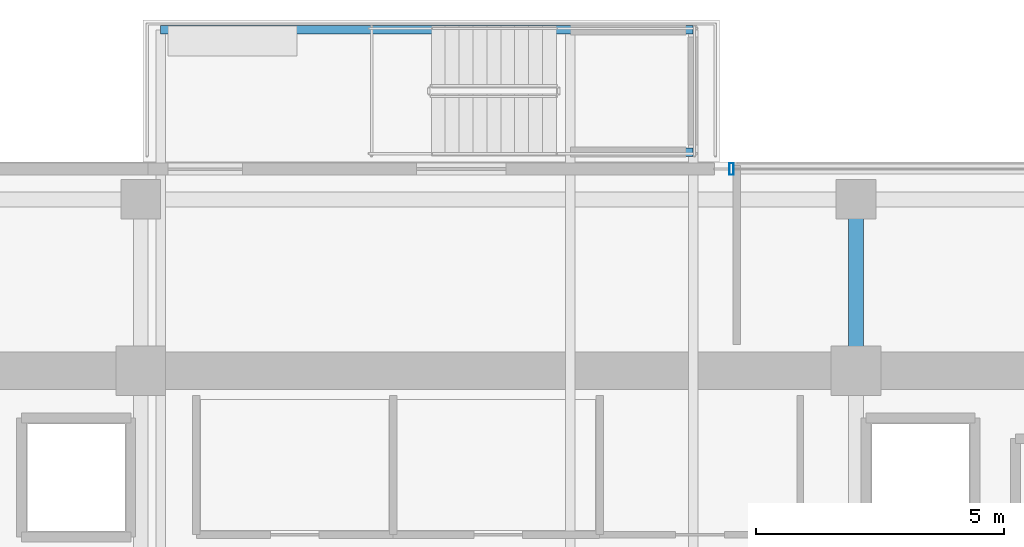
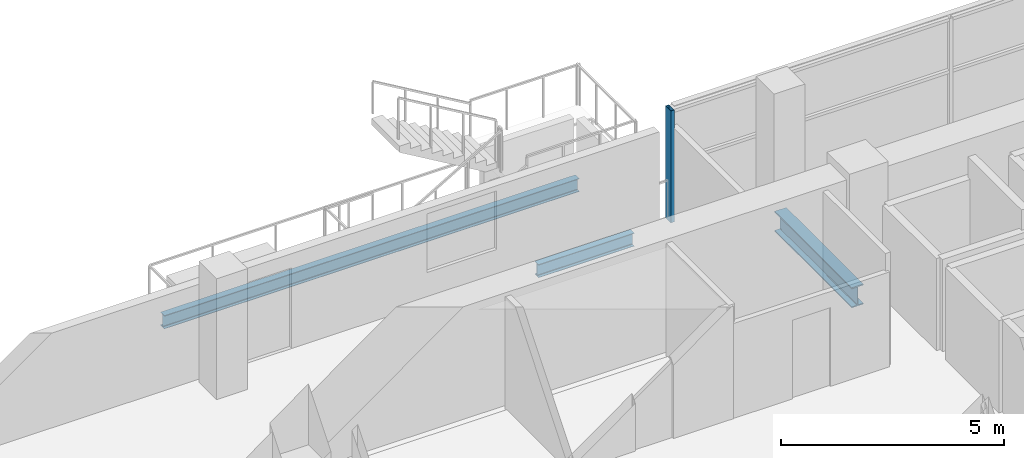
# One storey, part 14 of 27: 3 beams, 1 member, 1 element without a shape of its own.
"""IFC4 building model written with IfcOpenShell, lengths in metres."""

from ifc_helpers import new_model, si_unit, direction, frame, origin, origin_2d, place, context, subcontext, project, spatial, hollow_rectangle, i_section, extrude, source, transform, mapped, material, layer, layer_set, material_profile, profile_set, type_object, element, aggregate, save


model = new_model("IFC4")

# Units and contexts
model_context = context("Model", 3, precision=1e-05, world=origin(), true_north=direction((0.0, 1.0)))
body_context = subcontext(model_context, "Body", "Model", "MODEL_VIEW")
ifc_project = project(units=[si_unit("LENGTHUNIT", "METRE"), si_unit("AREAUNIT", "SQUARE_METRE"), si_unit("VOLUMEUNIT", "CUBIC_METRE"), si_unit("PLANEANGLEUNIT", "RADIAN"), si_unit("MASSUNIT", "GRAM", prefix="KILO")], contexts=[model_context])

# Site, building, storey
site_placement = place(None, origin())
site = spatial("IfcSite", under=ifc_project, at=site_placement, CompositionType="ELEMENT")
building_placement = place(site_placement, origin())
building = spatial("IfcBuilding", under=site, at=building_placement, Name="Zarnakvel Exchange Tower", CompositionType="ELEMENT")
storey_placement = place(building_placement, frame((0.0, 0.0, 113.199951171875)))
storey = spatial("IfcBuildingStorey", under=building, at=storey_placement, Name="L31", CompositionType="ELEMENT", Elevation=113.199951171875)

# Beams
ifc_material_1 = material(Name="Steel S355", Category="steel")
ifc_material_profile_1 = material_profile(ifc_material_1, i_section(OverallWidth=0.169921875, OverallDepth=0.360107421875, WebThickness=0.008056640625, FlangeThickness=0.0126953125, FilletRadius=0.01806640625, at=origin_2d()))
ifc_profile_set_1 = profile_set([ifc_material_profile_1], Name="Steel S355")
beam_type_1 = type_object("IfcBeamType", Name="B-07", PredefinedType="JOIST", material=ifc_profile_set_1)
beam_1_placement = place(storey_placement, frame((-6.800048828125, 20.360107421875, -0.429931640625), z_axis=(1.0, 0.0, 0.0), x_axis=(0.0, 1.0, 0.0)))
element("IfcBeam", 1, at=beam_1_placement, inside=storey, type_object=beam_type_1, Name="L31 Spiral Terrace Edge Beam", PredefinedType="JOIST", context=body_context, shape_type="SweptSolid", body=[
    extrude(i_section(OverallWidth=0.169921875, OverallDepth=0.360107421875, WebThickness=0.008056640625, FlangeThickness=0.0126953125, FilletRadius=0.01806640625, at=origin_2d()), origin(), (0.0, 0.0, 1.0), 10.719970703125),
])
beam_2_placement = place(storey_placement, frame((1.449951171875, 17.89990234375, -0.429931640625), z_axis=(1.0, 0.0, 0.0), x_axis=(0.0, 1.0, 0.0)))
element("IfcBeam", 2, at=beam_2_placement, inside=storey, type_object=beam_type_1, Name="L31 Terrace Stair Plinth Inner Beam", PredefinedType="JOIST", context=body_context, shape_type="SweptSolid", body=[
    extrude(i_section(OverallWidth=0.169921875, OverallDepth=0.360107421875, WebThickness=0.008056640625, FlangeThickness=0.0126953125, FilletRadius=0.01806640625, at=origin_2d()), origin(), (0.0, 0.0, 1.0), 2.469970703125),
])
ifc_material_profile_2 = material_profile(ifc_material_1, i_section(OverallWidth=0.300048828125, OverallDepth=0.550048828125, WebThickness=0.014892578125, FlangeThickness=0.029052734375, FilletRadius=0.027099609375, at=origin_2d()))
ifc_profile_set_2 = profile_set([ifc_material_profile_2], Name="Steel S355")
beam_type_2 = type_object("IfcBeamType", Name="G-05", PredefinedType="BEAM", material=ifc_profile_set_2)
beam_3_placement = place(storey_placement, frame((7.199951171875, 13.5, -0.5), z_axis=(0.0, 1.0, 0.0), x_axis=(-1.0, 0.0, 0.0)))
element("IfcBeam", 3, at=beam_3_placement, inside=storey, type_object=beam_type_2, Name="L31 Tower N-S Frame Beam", PredefinedType="BEAM", context=body_context, shape_type="SweptSolid", body=[
    extrude(i_section(OverallWidth=0.300048828125, OverallDepth=0.550048828125, WebThickness=0.014892578125, FlangeThickness=0.029052734375, FilletRadius=0.027099609375, at=origin_2d()), origin(), (0.0, 0.0, 1.0), 3.449951171875),
])

# Curtain wall, member
ifc_material_2 = material(Name="Architectural Bronze Anodised Aluminium", Category="aluminium")
ifc_layer = layer(ifc_material_2, 0.239990234375)
ifc_layer_set = layer_set([ifc_layer], Name="Architectural Bronze Anodised Aluminium")
curtain_wall_type = type_object("IfcCurtainWallType", Name="CW-02", PredefinedType="NOTDEFINED", material=ifc_layer_set)
curtain_wall_placement = place(storey_placement, origin())
curtain_wall = element("IfcCurtainWall", 4, at=curtain_wall_placement, inside=storey, type_object=curtain_wall_type, Name="L31 Curtain Wall CW-L31-N1 (CW-02)", PredefinedType="NOTDEFINED")
ifc_material_profile_3 = material_profile(ifc_material_2, hollow_rectangle(XDim=0.239990234375, YDim=0.090087890625, WallThickness=0.006103515625, at=origin_2d()))
ifc_profile_set_3 = profile_set([ifc_material_profile_3], Name="Architectural Bronze Anodised Aluminium")
member_type = type_object("IfcMemberType", Name="CWM-02", PredefinedType="MULLION", material=ifc_profile_set_3)
shared_shape = source(origin(), body_context, "Body", "SweptSolid", [
    extrude(hollow_rectangle(XDim=0.239990234375, YDim=0.090087890625, WallThickness=0.006103515625, at=origin_2d()), origin(), (0.0, 0.0, 1.0), 3.054931640625),
])
member_placement = place(storey_placement, frame((4.695068359375, 17.56005859375, 0.0), z_axis=(0.0, 0.0, 1.0), x_axis=(0.0, 1.0, 0.0)))
member = element("IfcMember", 5, at=member_placement, type_object=member_type, Name="CW-02 mullion 1", PredefinedType="MULLION", context=body_context, shape_type="MappedRepresentation", body=[
    mapped(shared_shape, transform((0.0, 0.0, 0.0), x_axis=(1.0, 0.0, 0.0), y_axis=(0.0, 1.0, 0.0), z_axis=(0.0, 0.0, 1.0), scale=1.0)),
])
aggregate(curtain_wall, [member])

save(model, "model.ifc")
